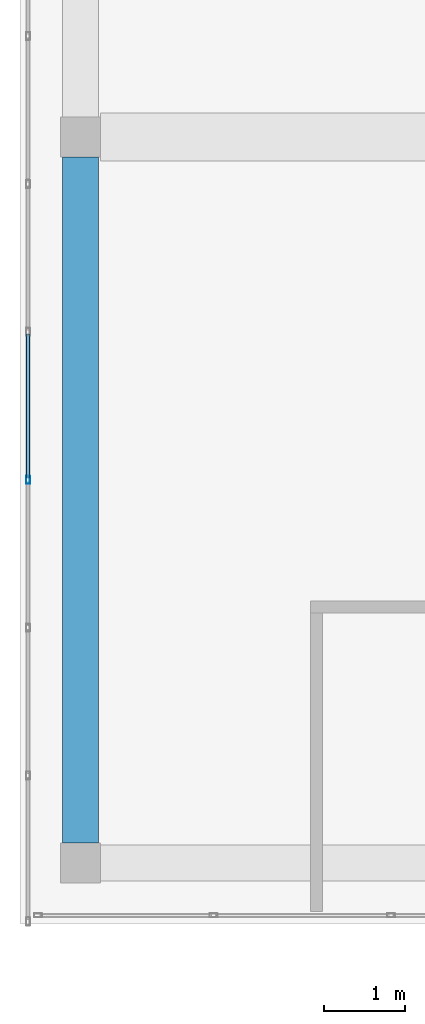
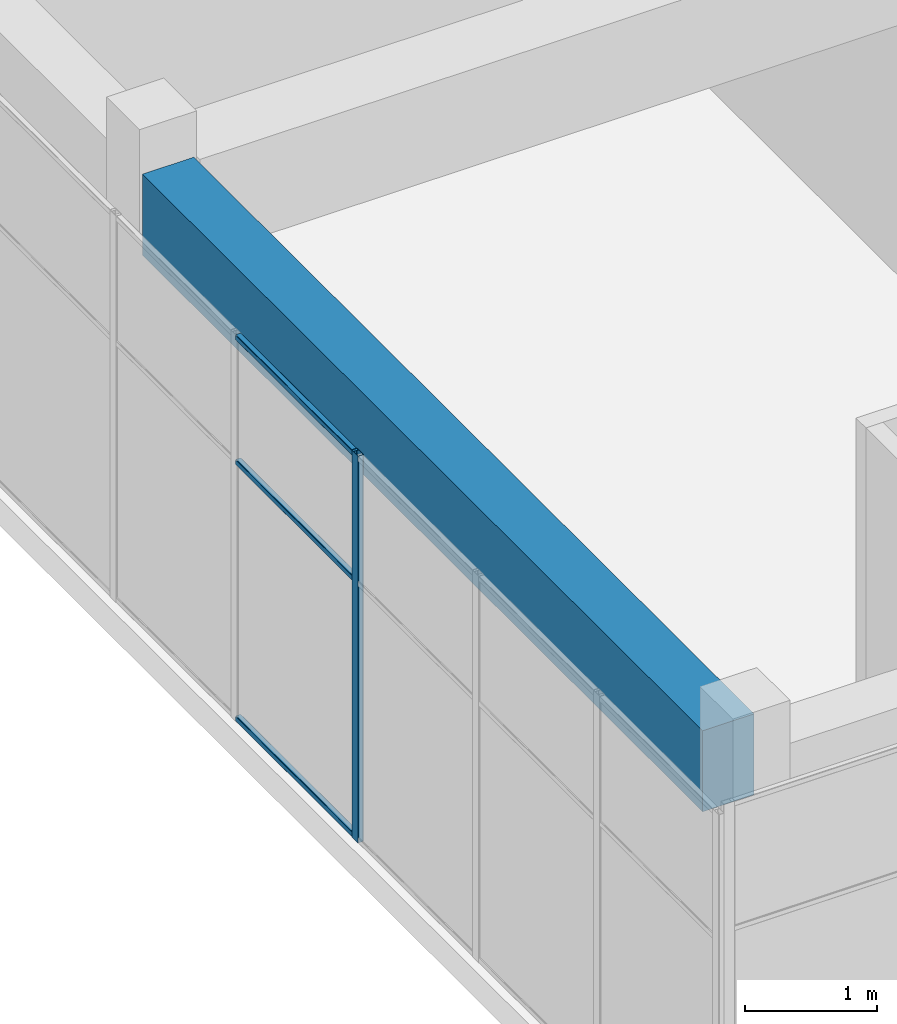
# One storey, part 5 of 36: 4 members, 1 beam, 1 element without a shape of its own.
"""IFC4 building model written with IfcOpenShell, lengths in metres."""

from ifc_helpers import new_model, si_unit, direction, frame, origin, origin_2d, place, context, subcontext, project, spatial, rectangle, hollow_rectangle, extrude, material, layer, layer_set, material_profile, profile_set, type_object, element, aggregate, save


model = new_model("IFC4")

# Units and contexts
model_context = context("Model", 3, precision=1e-05, world=origin(), true_north=direction((0.0, 1.0)))
body_context = subcontext(model_context, "Body", "Model", "MODEL_VIEW")
ifc_project = project(units=[si_unit("LENGTHUNIT", "METRE"), si_unit("AREAUNIT", "SQUARE_METRE"), si_unit("VOLUMEUNIT", "CUBIC_METRE"), si_unit("PLANEANGLEUNIT", "RADIAN"), si_unit("MASSUNIT", "GRAM", prefix="KILO")], contexts=[model_context])

# Site, building, storey
site_placement = place(None, origin())
site = spatial("IfcSite", under=ifc_project, at=site_placement, CompositionType="ELEMENT")
building_placement = place(site_placement, origin())
building = spatial("IfcBuilding", under=site, at=building_placement, Name="Tuart Plaza Theatre", CompositionType="ELEMENT")
storey_placement = place(building_placement, frame((0.0, 0.0, 61.5)))
storey = spatial("IfcBuildingStorey", under=building, at=storey_placement, Name="L15", CompositionType="ELEMENT", Elevation=61.5)

# Beam
ifc_material_1 = material(Name="Concrete N40 (40 MPa)", Category="concrete")
ifc_material_profile_1 = material_profile(ifc_material_1, rectangle(XDim=0.449951171875, YDim=0.75, at=origin_2d()), Name="BEAM 450x750 Concrete N40 (40 MPa)")
ifc_profile_set_1 = profile_set([ifc_material_profile_1], Name="Concrete N40 (40 MPa)")
beam_type = type_object("IfcBeamType", Name="BEAM 450x750 Concrete N40 (40 MPa)", PredefinedType="BEAM", material=ifc_profile_set_1)
beam_placement = place(storey_placement, frame((114.0, 65.25, 3.205078125), z_axis=(0.0, 1.0, 0.0), x_axis=(-1.0, 0.0, 0.0)))
element("IfcBeam", 1, at=beam_placement, inside=storey, type_object=beam_type, Name="RB318", PredefinedType="BEAM", context=body_context, shape_type="SweptSolid", body=[
    extrude(rectangle(XDim=0.449951171875, YDim=0.75, at=origin_2d()), origin(), (0.0, 0.0, 1.0), 8.5),
])

# Curtain wall, members
ifc_material_2 = material(Name="Aluminium and glass", Category="aluminium")
ifc_layer = layer(ifc_material_2, 0.10009765625)
ifc_layer_set = layer_set([ifc_layer], Name="CURTAIN WALL 1800 module")
curtain_wall_type = type_object("IfcCurtainWallType", Name="CURTAIN WALL 1800 module", PredefinedType="NOTDEFINED", material=ifc_layer_set)
curtain_wall_placement = place(storey_placement, origin())
curtain_wall = element("IfcCurtainWall", 2, at=curtain_wall_placement, inside=storey, type_object=curtain_wall_type, Name="CW118", PredefinedType="NOTDEFINED")
ifc_material_3 = material(Name="Aluminium 6063-T5", Category="aluminium")
ifc_material_profile_2 = material_profile(ifc_material_3, hollow_rectangle(XDim=0.050048828125, YDim=0.10009765625, WallThickness=0.00390625, InnerFilletRadius=0.00390625, OuterFilletRadius=0.008056640625, at=origin_2d()), Name="RHS 100x50x4")
ifc_profile_set_2 = profile_set([ifc_material_profile_2], Name="Aluminium 6063-T5")
member_type_1 = type_object("IfcMemberType", Name="MULLION RHS 100x50x4", PredefinedType="MULLION", material=ifc_profile_set_2)
member_1_placement = place(storey_placement, frame((113.35009765625, 69.75, 0.0), z_axis=(0.0, 0.0, 1.0), x_axis=(1.0, 0.0, 0.0)))
member_1 = element("IfcMember", 3, at=member_1_placement, type_object=member_type_1, Name="CW118 mullion 16", PredefinedType="MULLION", context=body_context, shape_type="SweptSolid", body=[
    extrude(hollow_rectangle(XDim=0.050048828125, YDim=0.10009765625, WallThickness=0.00390625, InnerFilletRadius=0.00390625, OuterFilletRadius=0.008056640625, at=origin_2d()), origin(), (0.0, 0.0, 1.0), 3.580078125),
])
ifc_material_4 = material(Name="Aluminium 6063-T5", Category="aluminium")
ifc_material_profile_3 = material_profile(ifc_material_4, hollow_rectangle(XDim=0.050048828125, YDim=0.050048828125, WallThickness=0.00390625, InnerFilletRadius=0.00390625, OuterFilletRadius=0.008056640625, at=origin_2d()), Name="RHS 50x50x4")
ifc_profile_set_3 = profile_set([ifc_material_profile_3], Name="Aluminium 6063-T5")
member_type_2 = type_object("IfcMemberType", Name="TRANSOM RHS 50x50x4", PredefinedType="USERDEFINED", material=ifc_profile_set_3)
member_2_placement = place(storey_placement, frame((113.35009765625, 71.558349609375, 0.02490234375), z_axis=(0.0, -1.0, 0.0), x_axis=(1.0, 0.0, 0.0)))
member_2 = element("IfcMember", 4, at=member_2_placement, type_object=member_type_2, Name="CW118 transom 15.1", ObjectType="TRANSOM", PredefinedType="USERDEFINED", context=body_context, shape_type="SweptSolid", body=[
    extrude(hollow_rectangle(XDim=0.050048828125, YDim=0.050048828125, WallThickness=0.00390625, InnerFilletRadius=0.00390625, OuterFilletRadius=0.008056640625, at=origin_2d()), origin(), (0.0, 0.0, 1.0), 1.783447265625),
])
member_3_placement = place(storey_placement, frame((113.35009765625, 71.558349609375, 2.39990234375), z_axis=(0.0, -1.0, 0.0), x_axis=(1.0, 0.0, 0.0)))
member_3 = element("IfcMember", 5, at=member_3_placement, type_object=member_type_2, Name="CW118 transom 15.2", ObjectType="TRANSOM", PredefinedType="USERDEFINED", context=body_context, shape_type="SweptSolid", body=[
    extrude(hollow_rectangle(XDim=0.050048828125, YDim=0.050048828125, WallThickness=0.00390625, InnerFilletRadius=0.00390625, OuterFilletRadius=0.008056640625, at=origin_2d()), origin(), (0.0, 0.0, 1.0), 1.783447265625),
])
member_4_placement = place(storey_placement, frame((113.35009765625, 71.558349609375, 3.554931640625), z_axis=(0.0, -1.0, 0.0), x_axis=(1.0, 0.0, 0.0)))
member_4 = element("IfcMember", 6, at=member_4_placement, type_object=member_type_2, Name="CW118 transom 15.3", ObjectType="TRANSOM", PredefinedType="USERDEFINED", context=body_context, shape_type="SweptSolid", body=[
    extrude(hollow_rectangle(XDim=0.050048828125, YDim=0.050048828125, WallThickness=0.00390625, InnerFilletRadius=0.00390625, OuterFilletRadius=0.008056640625, at=origin_2d()), origin(), (0.0, 0.0, 1.0), 1.783447265625),
])
aggregate(curtain_wall, [member_1, member_2, member_3, member_4])

save(model, "model.ifc")
